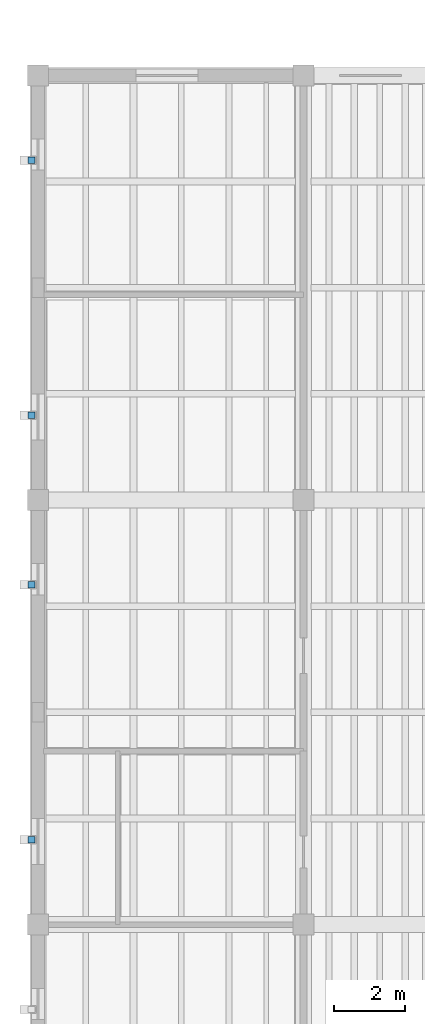
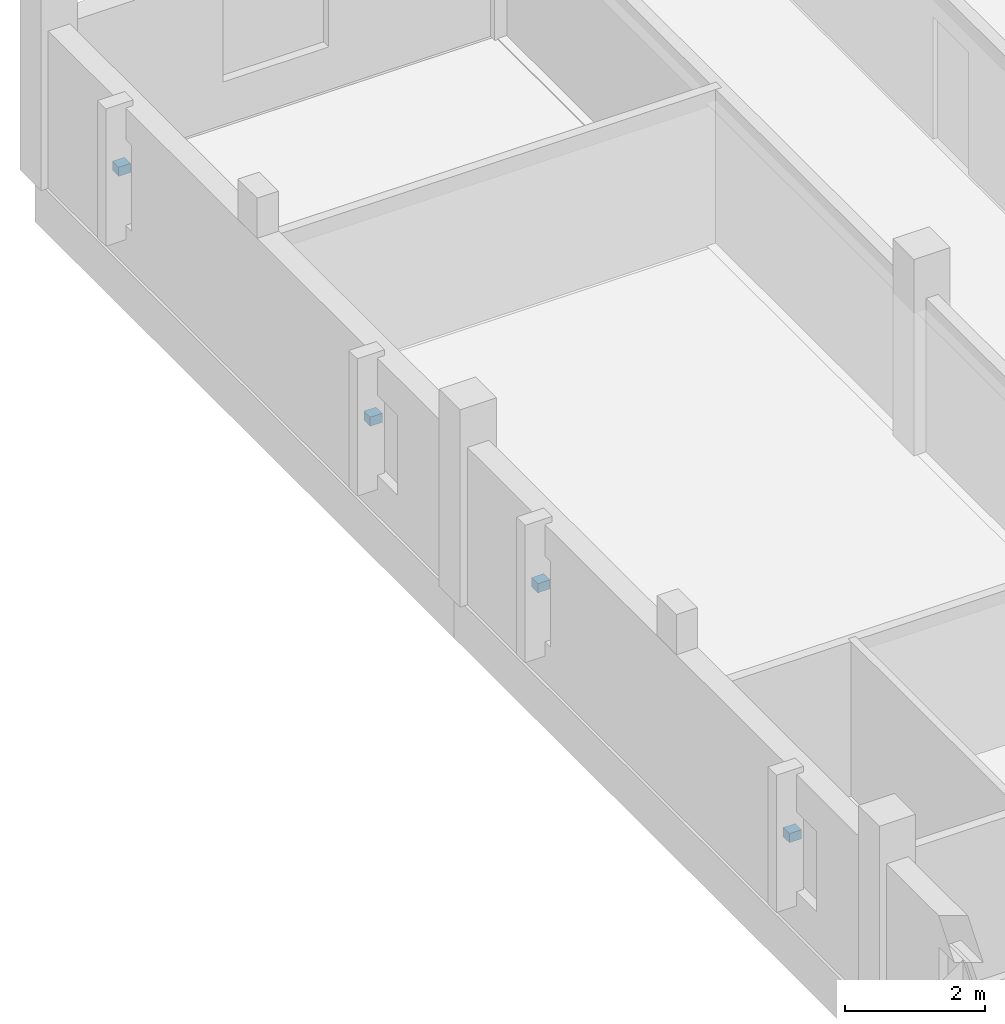
# One storey, part 69 of 77: 4 discrete accessories.
"""IFC4 building model written with IfcOpenShell, lengths in metres."""

from ifc_helpers import new_model, si_unit, direction, frame, origin, origin_2d, place, context, subcontext, project, spatial, rectangle, extrude, material, type_object, element, save


model = new_model("IFC4")

# Units and contexts
model_context = context("Model", 3, precision=1e-05, world=origin(), true_north=direction((0.0, 1.0)))
body_context = subcontext(model_context, "Body", "Model", "MODEL_VIEW")
ifc_project = project(units=[si_unit("LENGTHUNIT", "METRE"), si_unit("AREAUNIT", "SQUARE_METRE"), si_unit("VOLUMEUNIT", "CUBIC_METRE"), si_unit("PLANEANGLEUNIT", "RADIAN"), si_unit("MASSUNIT", "GRAM", prefix="KILO")], contexts=[model_context])

# Site, building, storey
site_placement = place(None, origin())
site = spatial("IfcSite", under=ifc_project, at=site_placement, CompositionType="ELEMENT")
building_placement = place(site_placement, origin())
building = spatial("IfcBuilding", under=site, at=building_placement, Name="Trellovar Central Fire Station", CompositionType="ELEMENT")
storey_placement = place(building_placement, frame((0.0, 0.0, 5.85009765625)))
storey = spatial("IfcBuildingStorey", under=building, at=storey_placement, Name="L02", CompositionType="ELEMENT", Elevation=5.85009765625)

# Discrete accessories
ifc_material = material(Name="Patina bronze wrought metalwork", Category="metal")
discrete_accessory_type = type_object("IfcDiscreteAccessoryType", Name="ACC-BRK2", PredefinedType="BRACKET", material=ifc_material)
for number, where, z_axis, x_axis, name in (
    (1, (0.820068359375, 43.39990234375, 1.56982421875), (0.0, 0.0, 1.0), (1.0, 0.0, 0.0), "L02 bronze shade mounting bracket 43"),
    (2, (0.820068359375, 50.60009765625, 1.56982421875), (0.0, 0.0, 1.0), (1.0, 0.0, 0.0), "L02 bronze shade mounting bracket 44"),
    (3, (0.820068359375, 55.39990234375, 1.56982421875), (0.0, 0.0, 1.0), (1.0, 0.0, 0.0), "L02 bronze shade mounting bracket 45"),
    (4, (0.820068359375, 62.60009765625, 1.56982421875), (0.0, 0.0, 1.0), (1.0, 0.0, 0.0), "L02 bronze shade mounting bracket 46"),
):
    element("IfcDiscreteAccessory", number, at=place(storey_placement, frame(where, z_axis=z_axis, x_axis=x_axis)), inside=storey, type_object=discrete_accessory_type, Name=name, PredefinedType="BRACKET", context=body_context, shape_type="SweptSolid", body=[
        extrude(rectangle(XDim=0.199951171875, YDim=0.179931640625, at=origin_2d()), origin(), (0.0, 0.0, 1.0), 0.159912109375),
    ])

save(model, "model.ifc")
